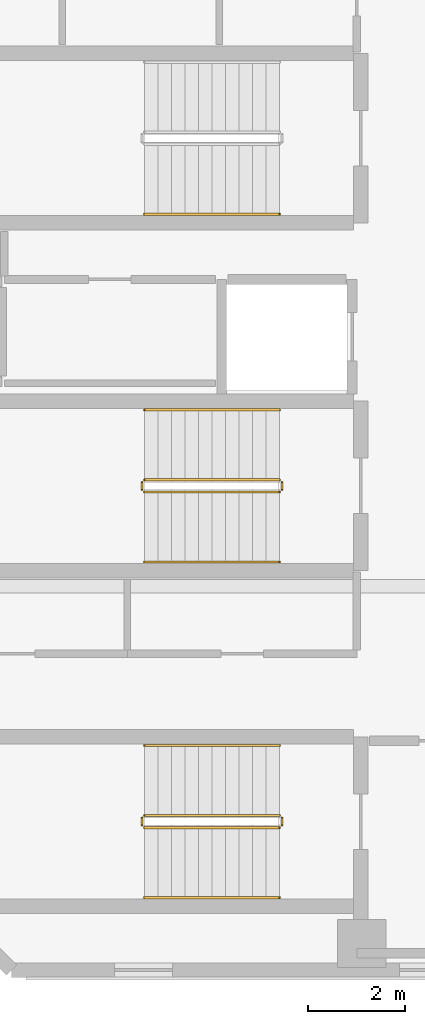
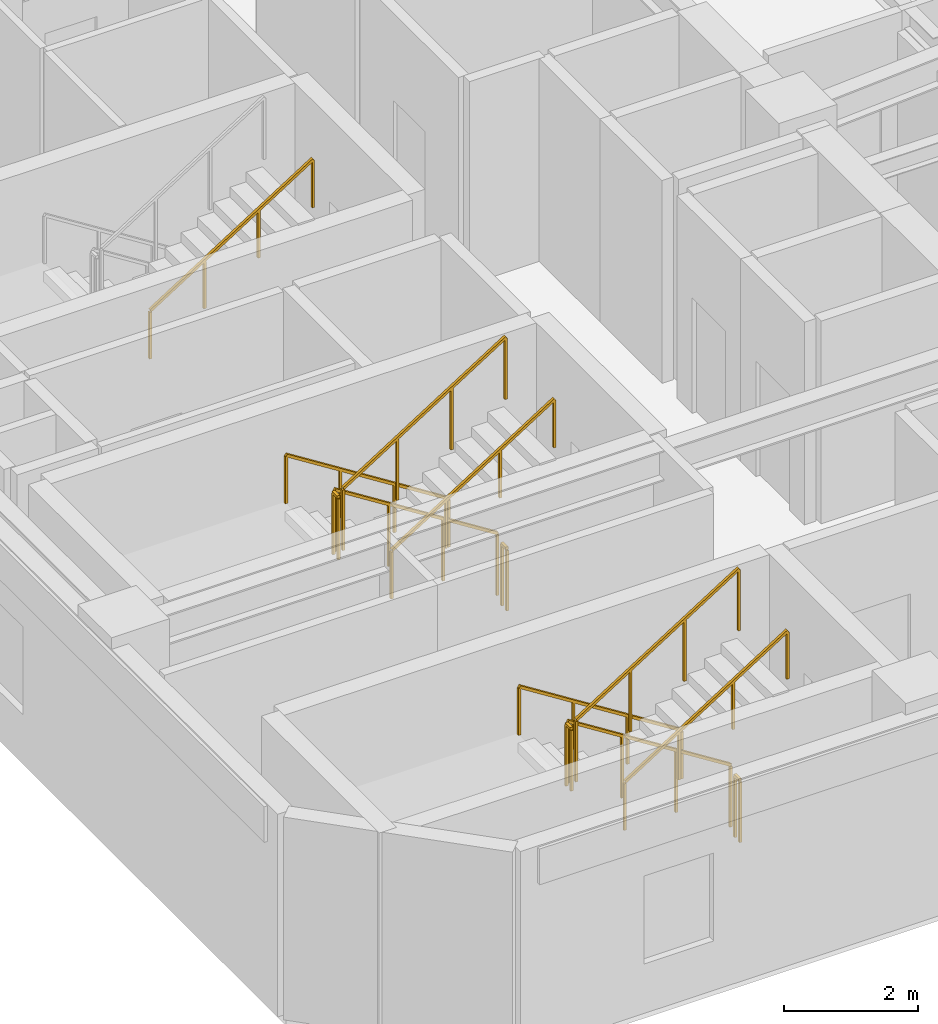
# One storey, part 7 of 13: 13 railings.
"""IFC4 building model written with IfcOpenShell, lengths in metres."""

from ifc_helpers import new_model, si_unit, direction, frame, origin, origin_2d, place, context, subcontext, project, spatial, rectangle, extrude, material, type_object, element, save


model = new_model("IFC4")

# Units and contexts
model_context = context("Model", 3, precision=1e-05, world=origin(), true_north=direction((0.0, 1.0)))
body_context = subcontext(model_context, "Body", "Model", "MODEL_VIEW")
ifc_project = project(units=[si_unit("LENGTHUNIT", "METRE"), si_unit("AREAUNIT", "SQUARE_METRE"), si_unit("VOLUMEUNIT", "CUBIC_METRE"), si_unit("PLANEANGLEUNIT", "RADIAN"), si_unit("MASSUNIT", "GRAM", prefix="KILO")], contexts=[model_context])

# Site, building, storey
site_placement = place(None, origin())
site = spatial("IfcSite", under=ifc_project, at=site_placement, CompositionType="ELEMENT")
building_placement = place(site_placement, origin())
building = spatial("IfcBuilding", under=site, at=building_placement, Name="Mawjaban Terraces University", CompositionType="ELEMENT")
storey_placement = place(building_placement, frame((0.0, 0.0, 199.199951171875)))
storey = spatial("IfcBuildingStorey", under=building, at=storey_placement, Name="L48", CompositionType="ELEMENT", Elevation=199.199951171875)

# Railings
ifc_material_1 = material(Name="Brushed stainless steel 316", Category="steel")
railing_type_1 = type_object("IfcRailingType", Name="StairWallHandrail_900", PredefinedType="HANDRAIL", material=ifc_material_1)
railing_1_placement = place(storey_placement, frame((30.050048828125, 4.64990234375, 0.17724609375)))
element("IfcRailing", 1, at=railing_1_placement, inside=storey, type_object=railing_type_1, Name="L48 ST-1 stair handrail 1", PredefinedType="HANDRAIL", context=body_context, shape_type="SweptSolid", body=[
    extrude(rectangle(XDim=0.048095703125, YDim=0.048095703125, at=origin_2d()), frame((0.0, 0.0, 0.8759765625), z_axis=(-0.844908973607, 0.0, 0.534910110503), x_axis=(0.0, -1.0, 0.0)), (0.0, 0.0, 1.0), 3.31396484375),
    extrude(rectangle(XDim=0.0419921875, YDim=0.0419921875, at=origin_2d()), origin(), (0.0, 0.0, 1.0), 0.851806640625),
    extrude(rectangle(XDim=0.0419921875, YDim=0.0419921875, at=origin_2d()), frame((-0.933349609375, 0.0, 0.5908203125)), (0.0, 0.0, 1.0), 0.851806640625),
    extrude(rectangle(XDim=0.0419921875, YDim=0.0419921875, at=origin_2d()), frame((-1.86669921875, 0.0, 1.181884765625)), (0.0, 0.0, 1.0), 0.851806640625),
    extrude(rectangle(XDim=0.0419921875, YDim=0.0419921875, at=origin_2d()), frame((-2.800048828125, 0.0, 1.772705078125)), (0.0, 0.0, 1.0), 0.851806640625),
])
for number, where, name in (
    (2, (27.25, 1.5, 2.12744140625), "L48 ST-1 stair handrail 2"),
    (3, (27.25, 15.64990234375, 2.12744140625), "L48 ST-2 stair handrail 2"),
):
    element("IfcRailing", number, at=place(storey_placement, frame(where)), inside=storey, type_object=railing_type_1, Name=name, PredefinedType="HANDRAIL", context=body_context, shape_type="SweptSolid", body=[
        extrude(rectangle(XDim=0.048095703125, YDim=0.048095703125, at=origin_2d()), frame((0.0, 0.0, 0.8759765625), z_axis=(0.844908973607, 0.0, 0.534910110503), x_axis=(0.0, 1.0, 0.0)), (0.0, 0.0, 1.0), 3.31396484375),
        extrude(rectangle(XDim=0.0419921875, YDim=0.0419921875, at=origin_2d()), origin(), (0.0, 0.0, 1.0), 0.851806640625),
        extrude(rectangle(XDim=0.0419921875, YDim=0.0419921875, at=origin_2d()), frame((0.933349609375, 0.0, 0.5908203125)), (0.0, 0.0, 1.0), 0.851806640625),
        extrude(rectangle(XDim=0.0419921875, YDim=0.0419921875, at=origin_2d()), frame((1.86669921875, 0.0, 1.181884765625)), (0.0, 0.0, 1.0), 0.851806640625),
        extrude(rectangle(XDim=0.0419921875, YDim=0.0419921875, at=origin_2d()), frame((2.800048828125, 0.0, 1.772705078125)), (0.0, 0.0, 1.0), 0.851806640625),
    ])
railing_2_placement = place(storey_placement, frame((30.050048828125, 11.60009765625, 0.17724609375)))
element("IfcRailing", 4, at=railing_2_placement, inside=storey, type_object=railing_type_1, Name="L48 ST-3 stair handrail 1", PredefinedType="HANDRAIL", context=body_context, shape_type="SweptSolid", body=[
    extrude(rectangle(XDim=0.048095703125, YDim=0.048095703125, at=origin_2d()), frame((0.0, 0.0, 0.8759765625), z_axis=(-0.844908973607, 0.0, 0.534910110503), x_axis=(0.0, -1.0, 0.0)), (0.0, 0.0, 1.0), 3.31396484375),
    extrude(rectangle(XDim=0.0419921875, YDim=0.0419921875, at=origin_2d()), origin(), (0.0, 0.0, 1.0), 0.851806640625),
    extrude(rectangle(XDim=0.0419921875, YDim=0.0419921875, at=origin_2d()), frame((-0.933349609375, 0.0, 0.5908203125)), (0.0, 0.0, 1.0), 0.851806640625),
    extrude(rectangle(XDim=0.0419921875, YDim=0.0419921875, at=origin_2d()), frame((-1.86669921875, 0.0, 1.181884765625)), (0.0, 0.0, 1.0), 0.851806640625),
    extrude(rectangle(XDim=0.0419921875, YDim=0.0419921875, at=origin_2d()), frame((-2.800048828125, 0.0, 1.772705078125)), (0.0, 0.0, 1.0), 0.851806640625),
])
railing_3_placement = place(storey_placement, frame((27.25, 8.449951171875, 2.12744140625)))
element("IfcRailing", 5, at=railing_3_placement, inside=storey, type_object=railing_type_1, Name="L48 ST-3 stair handrail 2", PredefinedType="HANDRAIL", context=body_context, shape_type="SweptSolid", body=[
    extrude(rectangle(XDim=0.048095703125, YDim=0.048095703125, at=origin_2d()), frame((0.0, 0.0, 0.8759765625), z_axis=(0.844908973607, 0.0, 0.534910110503), x_axis=(0.0, 1.0, 0.0)), (0.0, 0.0, 1.0), 3.31396484375),
    extrude(rectangle(XDim=0.0419921875, YDim=0.0419921875, at=origin_2d()), origin(), (0.0, 0.0, 1.0), 0.851806640625),
    extrude(rectangle(XDim=0.0419921875, YDim=0.0419921875, at=origin_2d()), frame((0.933349609375, 0.0, 0.5908203125)), (0.0, 0.0, 1.0), 0.851806640625),
    extrude(rectangle(XDim=0.0419921875, YDim=0.0419921875, at=origin_2d()), frame((1.86669921875, 0.0, 1.181884765625)), (0.0, 0.0, 1.0), 0.851806640625),
    extrude(rectangle(XDim=0.0419921875, YDim=0.0419921875, at=origin_2d()), frame((2.800048828125, 0.0, 1.772705078125)), (0.0, 0.0, 1.0), 0.851806640625),
])
ifc_material_2 = material(Name="Galvanised painted steel S355", Category="steel")
railing_type_2 = type_object("IfcRailingType", Name="StairWellGuard_1150", PredefinedType="BALUSTRADE", material=ifc_material_2)
railing_4_placement = place(storey_placement, frame((30.050048828125, 3.199951171875, 0.17724609375)))
element("IfcRailing", 6, at=railing_4_placement, inside=storey, type_object=railing_type_2, Name="L48 ST-1 stair guard 1", PredefinedType="BALUSTRADE", context=body_context, shape_type="SweptSolid", body=[
    extrude(rectangle(XDim=0.048095703125, YDim=0.048095703125, at=origin_2d()), frame((0.0, 0.0, 1.1259765625), z_axis=(-0.844908973607, 0.0, 0.534910110503), x_axis=(0.0, -1.0, 0.0)), (0.0, 0.0, 1.0), 3.31396484375),
    extrude(rectangle(XDim=0.0419921875, YDim=0.0419921875, at=origin_2d()), origin(), (0.0, 0.0, 1.0), 1.101806640625),
    extrude(rectangle(XDim=0.0419921875, YDim=0.0419921875, at=origin_2d()), frame((-0.933349609375, 0.0, 0.5908203125)), (0.0, 0.0, 1.0), 1.101806640625),
    extrude(rectangle(XDim=0.0419921875, YDim=0.0419921875, at=origin_2d()), frame((-1.86669921875, 0.0, 1.181884765625)), (0.0, 0.0, 1.0), 1.101806640625),
    extrude(rectangle(XDim=0.0419921875, YDim=0.0419921875, at=origin_2d()), frame((-2.800048828125, 0.0, 1.772705078125)), (0.0, 0.0, 1.0), 1.101806640625),
])
railing_5_placement = place(storey_placement, frame((27.199951171875, 3.14990234375, 1.949951171875)))
element("IfcRailing", 7, at=railing_5_placement, inside=storey, type_object=railing_type_2, Name="L48 ST-1 stair guard 2", PredefinedType="BALUSTRADE", context=body_context, shape_type="SweptSolid", body=[
    extrude(rectangle(XDim=0.048095703125, YDim=0.048095703125, at=origin_2d()), frame((0.0, 0.0, 1.1259765625), z_axis=(0.0, -1.0, 0.0), x_axis=(1.0, 0.0, 0.0)), (0.0, 0.0, 1.0), 0.14990234375),
    extrude(rectangle(XDim=0.0419921875, YDim=0.0419921875, at=origin_2d()), origin(), (0.0, 0.0, 1.0), 1.101806640625),
    extrude(rectangle(XDim=0.0419921875, YDim=0.0419921875, at=origin_2d()), frame((0.0, -0.14990234375, 0.0)), (0.0, 0.0, 1.0), 1.101806640625),
])
railing_6_placement = place(storey_placement, frame((27.25, 2.949951171875, 2.12744140625)))
element("IfcRailing", 8, at=railing_6_placement, inside=storey, type_object=railing_type_2, Name="L48 ST-1 stair guard 3", PredefinedType="BALUSTRADE", context=body_context, shape_type="SweptSolid", body=[
    extrude(rectangle(XDim=0.048095703125, YDim=0.048095703125, at=origin_2d()), frame((0.0, 0.0, 1.1259765625), z_axis=(0.844908973607, 0.0, 0.534910110503), x_axis=(0.0, 1.0, 0.0)), (0.0, 0.0, 1.0), 3.31396484375),
    extrude(rectangle(XDim=0.0419921875, YDim=0.0419921875, at=origin_2d()), origin(), (0.0, 0.0, 1.0), 1.101806640625),
    extrude(rectangle(XDim=0.0419921875, YDim=0.0419921875, at=origin_2d()), frame((0.933349609375, 0.0, 0.5908203125)), (0.0, 0.0, 1.0), 1.101806640625),
    extrude(rectangle(XDim=0.0419921875, YDim=0.0419921875, at=origin_2d()), frame((1.86669921875, 0.0, 1.181884765625)), (0.0, 0.0, 1.0), 1.101806640625),
    extrude(rectangle(XDim=0.0419921875, YDim=0.0419921875, at=origin_2d()), frame((2.800048828125, 0.0, 1.772705078125)), (0.0, 0.0, 1.0), 1.101806640625),
])
railing_7_placement = place(storey_placement, frame((30.10009765625, 3.14990234375, 0.0)))
element("IfcRailing", 9, at=railing_7_placement, inside=storey, type_object=railing_type_2, Name="L48 ST-1 stair guard 4", PredefinedType="BALUSTRADE", context=body_context, shape_type="SweptSolid", body=[
    extrude(rectangle(XDim=0.048095703125, YDim=0.048095703125, at=origin_2d()), frame((0.0, 0.0, 1.1259765625), z_axis=(0.0, -1.0, 0.0), x_axis=(1.0, 0.0, 0.0)), (0.0, 0.0, 1.0), 0.14990234375),
    extrude(rectangle(XDim=0.0419921875, YDim=0.0419921875, at=origin_2d()), origin(), (0.0, 0.0, 1.0), 1.101806640625),
    extrude(rectangle(XDim=0.0419921875, YDim=0.0419921875, at=origin_2d()), frame((0.0, -0.14990234375, 0.0)), (0.0, 0.0, 1.0), 1.101806640625),
])
railing_8_placement = place(storey_placement, frame((30.050048828125, 10.14990234375, 0.17724609375)))
element("IfcRailing", 10, at=railing_8_placement, inside=storey, type_object=railing_type_2, Name="L48 ST-3 stair guard 1", PredefinedType="BALUSTRADE", context=body_context, shape_type="SweptSolid", body=[
    extrude(rectangle(XDim=0.048095703125, YDim=0.048095703125, at=origin_2d()), frame((0.0, 0.0, 1.1259765625), z_axis=(-0.844908973607, 0.0, 0.534910110503), x_axis=(0.0, -1.0, 0.0)), (0.0, 0.0, 1.0), 3.31396484375),
    extrude(rectangle(XDim=0.0419921875, YDim=0.0419921875, at=origin_2d()), origin(), (0.0, 0.0, 1.0), 1.101806640625),
    extrude(rectangle(XDim=0.0419921875, YDim=0.0419921875, at=origin_2d()), frame((-0.933349609375, 0.0, 0.5908203125)), (0.0, 0.0, 1.0), 1.101806640625),
    extrude(rectangle(XDim=0.0419921875, YDim=0.0419921875, at=origin_2d()), frame((-1.86669921875, 0.0, 1.181884765625)), (0.0, 0.0, 1.0), 1.101806640625),
    extrude(rectangle(XDim=0.0419921875, YDim=0.0419921875, at=origin_2d()), frame((-2.800048828125, 0.0, 1.772705078125)), (0.0, 0.0, 1.0), 1.101806640625),
])
railing_9_placement = place(storey_placement, frame((27.199951171875, 10.10009765625, 1.949951171875)))
element("IfcRailing", 11, at=railing_9_placement, inside=storey, type_object=railing_type_2, Name="L48 ST-3 stair guard 2", PredefinedType="BALUSTRADE", context=body_context, shape_type="SweptSolid", body=[
    extrude(rectangle(XDim=0.048095703125, YDim=0.048095703125, at=origin_2d()), frame((0.0, 0.0, 1.1259765625), z_axis=(0.0, -1.0, 0.0), x_axis=(1.0, 0.0, 0.0)), (0.0, 0.0, 1.0), 0.150146484375),
    extrude(rectangle(XDim=0.0419921875, YDim=0.0419921875, at=origin_2d()), origin(), (0.0, 0.0, 1.0), 1.101806640625),
    extrude(rectangle(XDim=0.0419921875, YDim=0.0419921875, at=origin_2d()), frame((0.0, -0.150146484375, 0.0)), (0.0, 0.0, 1.0), 1.101806640625),
])
railing_10_placement = place(storey_placement, frame((27.25, 9.89990234375, 2.12744140625)))
element("IfcRailing", 12, at=railing_10_placement, inside=storey, type_object=railing_type_2, Name="L48 ST-3 stair guard 3", PredefinedType="BALUSTRADE", context=body_context, shape_type="SweptSolid", body=[
    extrude(rectangle(XDim=0.048095703125, YDim=0.048095703125, at=origin_2d()), frame((0.0, 0.0, 1.1259765625), z_axis=(0.844908973607, 0.0, 0.534910110503), x_axis=(0.0, 1.0, 0.0)), (0.0, 0.0, 1.0), 3.31396484375),
    extrude(rectangle(XDim=0.0419921875, YDim=0.0419921875, at=origin_2d()), origin(), (0.0, 0.0, 1.0), 1.101806640625),
    extrude(rectangle(XDim=0.0419921875, YDim=0.0419921875, at=origin_2d()), frame((0.933349609375, 0.0, 0.5908203125)), (0.0, 0.0, 1.0), 1.101806640625),
    extrude(rectangle(XDim=0.0419921875, YDim=0.0419921875, at=origin_2d()), frame((1.86669921875, 0.0, 1.181884765625)), (0.0, 0.0, 1.0), 1.101806640625),
    extrude(rectangle(XDim=0.0419921875, YDim=0.0419921875, at=origin_2d()), frame((2.800048828125, 0.0, 1.772705078125)), (0.0, 0.0, 1.0), 1.101806640625),
])
railing_11_placement = place(storey_placement, frame((30.10009765625, 10.10009765625, 0.0)))
element("IfcRailing", 13, at=railing_11_placement, inside=storey, type_object=railing_type_2, Name="L48 ST-3 stair guard 4", PredefinedType="BALUSTRADE", context=body_context, shape_type="SweptSolid", body=[
    extrude(rectangle(XDim=0.048095703125, YDim=0.048095703125, at=origin_2d()), frame((0.0, 0.0, 1.1259765625), z_axis=(0.0, -1.0, 0.0), x_axis=(1.0, 0.0, 0.0)), (0.0, 0.0, 1.0), 0.150146484375),
    extrude(rectangle(XDim=0.0419921875, YDim=0.0419921875, at=origin_2d()), origin(), (0.0, 0.0, 1.0), 1.101806640625),
    extrude(rectangle(XDim=0.0419921875, YDim=0.0419921875, at=origin_2d()), frame((0.0, -0.150146484375, 0.0)), (0.0, 0.0, 1.0), 1.101806640625),
])

save(model, "model.ifc")
